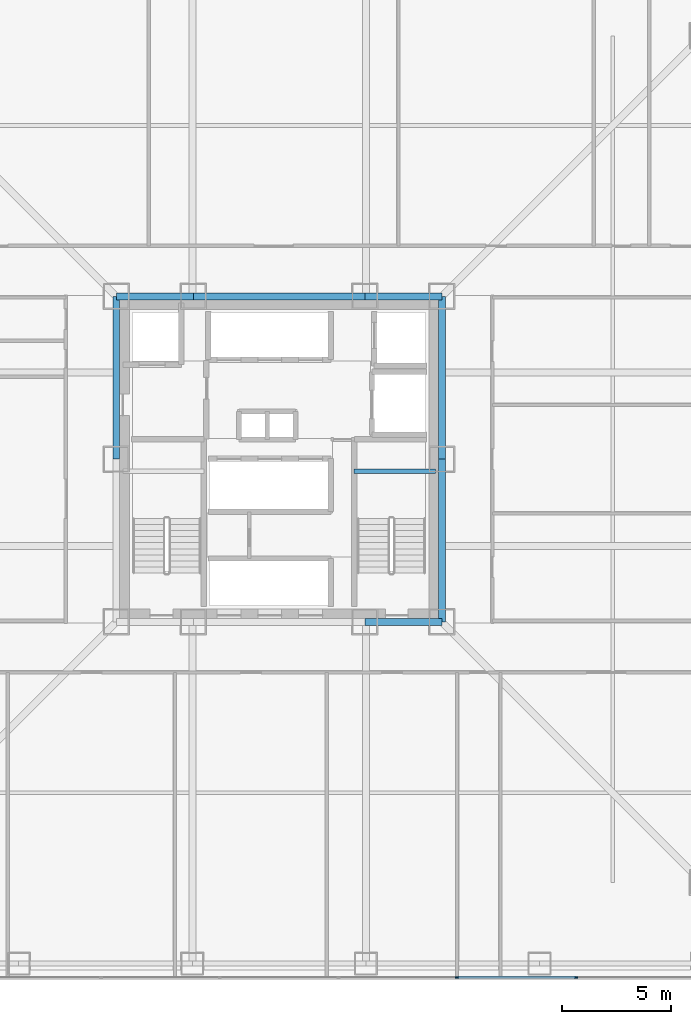
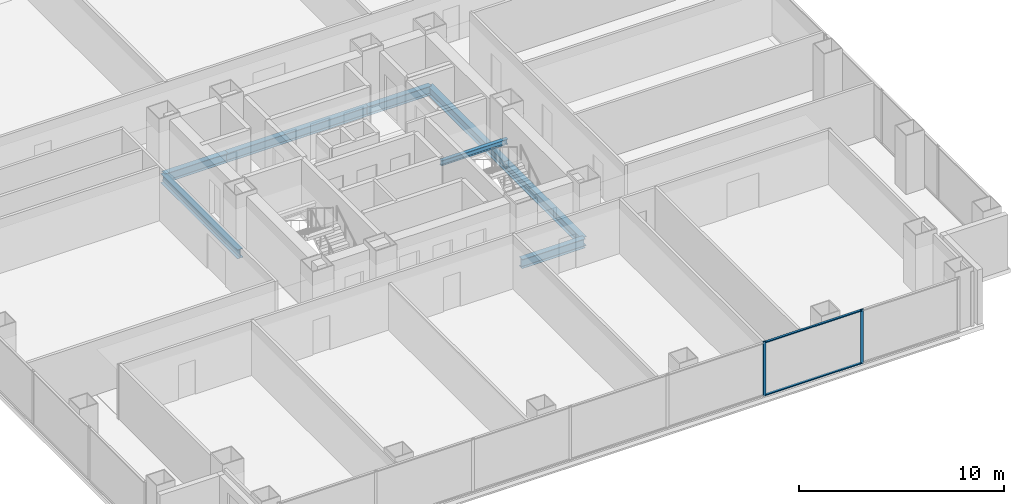
# One storey, part 7 of 19: 8 beams, 4 members, 1 element without a shape of its own.
"""IFC4 building model written with IfcOpenShell, lengths in metres."""

from ifc_helpers import new_model, si_unit, direction, frame, origin, origin_2d, place, context, subcontext, project, spatial, rectangle, i_section, extrude, material, layer, layer_set, material_profile, profile_set, type_object, element, aggregate, save


model = new_model("IFC4")

# Units and contexts
model_context = context("Model", 3, precision=1e-05, world=origin(), true_north=direction((0.0, 1.0)))
body_context = subcontext(model_context, "Body", "Model", "MODEL_VIEW")
ifc_project = project(units=[si_unit("LENGTHUNIT", "METRE"), si_unit("AREAUNIT", "SQUARE_METRE"), si_unit("VOLUMEUNIT", "CUBIC_METRE"), si_unit("PLANEANGLEUNIT", "RADIAN"), si_unit("MASSUNIT", "GRAM", prefix="KILO")], contexts=[model_context])

# Site, building, storey
site_placement = place(None, origin())
site = spatial("IfcSite", under=ifc_project, at=site_placement, CompositionType="ELEMENT")
building_placement = place(site_placement, origin())
building = spatial("IfcBuilding", under=site, at=building_placement, Name="Trevonay Congress Spire", CompositionType="ELEMENT")
storey_placement = place(building_placement, frame((0.0, 0.0, 41.0)))
storey = spatial("IfcBuildingStorey", under=building, at=storey_placement, Name="L09", CompositionType="ELEMENT", Elevation=41.0)

# Beams
ifc_material_1 = material(Name="Steel ASTM A572 Grade 50", Category="steel")
ifc_material_profile_1 = material_profile(ifc_material_1, i_section(OverallWidth=0.31201171875, OverallDepth=0.54296875, WebThickness=0.0126953125, FlangeThickness=0.020263671875, FilletRadius=0.014892578125, at=origin_2d()), Name="W530x150")
ifc_profile_set_1 = profile_set([ifc_material_profile_1], Name="Steel ASTM A572 Grade 50")
beam_type_1 = type_object("IfcBeamType", Name="BM-GIRD-W530X150", PredefinedType="BEAM", material=ifc_profile_set_1)
for number, where, z_axis, x_axis, name in (
    (1, (3.949951171875, -7.5, -0.521484375), (1.0, 0.0, 0.0), (0.0, 1.0, 0.0), "L09 structural beam BM-L09-CR-S3"),
    (2, (-7.5, 7.5, -0.521484375), (1.0, 0.0, 0.0), (0.0, 1.0, 0.0), "L09 structural beam BM-L09-CR-N1"),
):
    element("IfcBeam", number, at=place(storey_placement, frame(where, z_axis=z_axis, x_axis=x_axis)), inside=storey, type_object=beam_type_1, Name=name, PredefinedType="BEAM", context=body_context, shape_type="SweptSolid", body=[
        extrude(i_section(OverallWidth=0.31201171875, OverallDepth=0.54296875, WebThickness=0.0126953125, FlangeThickness=0.020263671875, FilletRadius=0.014892578125, at=origin_2d()), origin(), (0.0, 0.0, 1.0), 3.550048828125),
    ])
beam_1_placement = place(storey_placement, frame((-3.949951171875, 7.5, -0.521484375), z_axis=(1.0, 0.0, 0.0), x_axis=(0.0, 1.0, 0.0)))
element("IfcBeam", 3, at=beam_1_placement, inside=storey, type_object=beam_type_1, Name="L09 structural beam BM-L09-CR-N2", PredefinedType="BEAM", context=body_context, shape_type="SweptSolid", body=[
    extrude(i_section(OverallWidth=0.31201171875, OverallDepth=0.54296875, WebThickness=0.0126953125, FlangeThickness=0.020263671875, FilletRadius=0.014892578125, at=origin_2d()), origin(), (0.0, 0.0, 1.0), 7.89990234375),
])
beam_2_placement = place(storey_placement, frame((3.949951171875, 7.5, -0.521484375), z_axis=(1.0, 0.0, 0.0), x_axis=(0.0, 1.0, 0.0)))
element("IfcBeam", 4, at=beam_2_placement, inside=storey, type_object=beam_type_1, Name="L09 structural beam BM-L09-CR-N3", PredefinedType="BEAM", context=body_context, shape_type="SweptSolid", body=[
    extrude(i_section(OverallWidth=0.31201171875, OverallDepth=0.54296875, WebThickness=0.0126953125, FlangeThickness=0.020263671875, FilletRadius=0.014892578125, at=origin_2d()), origin(), (0.0, 0.0, 1.0), 3.550048828125),
])
for number, where, z_axis, x_axis, name in (
    (5, (-7.5, 0.0, -0.521484375), (0.0, 1.0, 0.0), (-1.0, 0.0, 0.0), "L09 structural beam BM-L09-CR-W2"),
    (6, (7.5, -7.5, -0.521484375), (0.0, 1.0, 0.0), (-1.0, 0.0, 0.0), "L09 structural beam BM-L09-CR-E1"),
    (7, (7.5, 0.0, -0.521484375), (0.0, 1.0, 0.0), (-1.0, 0.0, 0.0), "L09 structural beam BM-L09-CR-E2"),
):
    element("IfcBeam", number, at=place(storey_placement, frame(where, z_axis=z_axis, x_axis=x_axis)), inside=storey, type_object=beam_type_1, Name=name, PredefinedType="BEAM", context=body_context, shape_type="SweptSolid", body=[
        extrude(i_section(OverallWidth=0.31201171875, OverallDepth=0.54296875, WebThickness=0.0126953125, FlangeThickness=0.020263671875, FilletRadius=0.014892578125, at=origin_2d()), origin(), (0.0, 0.0, 1.0), 7.5),
    ])

# Curtain wall, members
ifc_material_2 = material(Name="Pale Anodised Aluminium EN AW-6063-T6", Category="aluminium")
ifc_layer = layer(ifc_material_2, 0.179931640625, Name="Pale Anodised Aluminium EN AW-6063-T6")
ifc_layer_set = layer_set([ifc_layer], Name="Pale Anodised Aluminium EN AW-6063-T6")
curtain_wall_type = type_object("IfcCurtainWallType", Name="CW-SYS02-HOTEL-PALE-METAL", PredefinedType="NOTDEFINED", material=ifc_layer_set)
curtain_wall_placement = place(storey_placement, origin())
curtain_wall = element("IfcCurtainWall", 8, at=curtain_wall_placement, inside=storey, type_object=curtain_wall_type, Name="L09 S unitised curtain wall", PredefinedType="NOTDEFINED")
ifc_material_profile_2 = material_profile(ifc_material_2, rectangle(XDim=0.06005859375, YDim=0.159912109375, at=origin_2d()), Name="CW-MULLION-160-ALUMINIUM")
ifc_profile_set_2 = profile_set([ifc_material_profile_2], Name="Pale Anodised Aluminium EN AW-6063-T6")
member_type_1 = type_object("IfcMemberType", Name="CW-MULLION-160-ALUMINIUM", PredefinedType="MULLION", material=ifc_profile_set_2)
member_1_placement = place(storey_placement, frame((8.20703125, -23.8798828125, 0.0), z_axis=(0.0, 0.0, 1.0), x_axis=(0.0, 1.0, 0.0)))
member_1 = element("IfcMember", 9, at=member_1_placement, type_object=member_type_1, Name="CW02 mullion 6", PredefinedType="MULLION", context=body_context, shape_type="SweptSolid", body=[
    extrude(rectangle(XDim=0.06005859375, YDim=0.159912109375, at=origin_2d()), origin(), (0.0, 0.0, 1.0), 3.25),
])
member_2_placement = place(storey_placement, frame((13.678466796875, -23.8798828125, 0.0), z_axis=(0.0, 0.0, 1.0), x_axis=(0.0, 1.0, 0.0)))
member_2 = element("IfcMember", 10, at=member_2_placement, type_object=member_type_1, Name="CW02 mullion 7", PredefinedType="MULLION", context=body_context, shape_type="SweptSolid", body=[
    extrude(rectangle(XDim=0.06005859375, YDim=0.159912109375, at=origin_2d()), origin(), (0.0, 0.0, 1.0), 3.25),
])
ifc_material_profile_3 = material_profile(ifc_material_2, rectangle(XDim=0.1201171875, YDim=0.06005859375, at=origin_2d()), Name="CW-TRANSOM-120-ALUMINIUM")
ifc_profile_set_3 = profile_set([ifc_material_profile_3], Name="Pale Anodised Aluminium EN AW-6063-T6")
member_type_2 = type_object("IfcMemberType", Name="CW-TRANSOM-120-ALUMINIUM", PredefinedType="USERDEFINED", material=ifc_profile_set_3)
member_3_placement = place(storey_placement, frame((8.237060546875, -23.8798828125, 0.06005859375), z_axis=(1.0, 0.0, 0.0), x_axis=(0.0, 1.0, 0.0)))
member_3 = element("IfcMember", 11, at=member_3_placement, type_object=member_type_2, Name="CW02 transom 6.1", ObjectType="TRANSOM", PredefinedType="USERDEFINED", context=body_context, shape_type="SweptSolid", body=[
    extrude(rectangle(XDim=0.1201171875, YDim=0.06005859375, at=origin_2d()), origin(), (0.0, 0.0, 1.0), 5.41162109375),
])
member_4_placement = place(storey_placement, frame((8.237060546875, -23.8798828125, 3.18994140625), z_axis=(1.0, 0.0, 0.0), x_axis=(0.0, 1.0, 0.0)))
member_4 = element("IfcMember", 12, at=member_4_placement, type_object=member_type_2, Name="CW02 transom 6.2", ObjectType="TRANSOM", PredefinedType="USERDEFINED", context=body_context, shape_type="SweptSolid", body=[
    extrude(rectangle(XDim=0.1201171875, YDim=0.06005859375, at=origin_2d()), origin(), (0.0, 0.0, 1.0), 5.41162109375),
])
aggregate(curtain_wall, [member_1, member_2, member_3, member_4])

# Beam
ifc_material_profile_4 = material_profile(ifc_material_1, i_section(OverallWidth=0.2041015625, OverallDepth=0.305908203125, WebThickness=0.008544921875, FlangeThickness=0.0146484375, FilletRadius=0.010986328125, at=origin_2d()), Name="W310x67")
ifc_profile_set_4 = profile_set([ifc_material_profile_4], Name="Steel ASTM A572 Grade 50")
beam_type_2 = type_object("IfcBeamType", Name="LN-CORE-W310X67", PredefinedType="LINTEL", material=ifc_profile_set_4)
beam_3_placement = place(storey_placement, frame((3.449951171875, -0.550048828125, 1.39697265625), z_axis=(1.0, 0.0, 0.0), x_axis=(0.0, 1.0, 0.0)))
element("IfcBeam", 13, at=beam_3_placement, inside=storey, type_object=beam_type_2, Name="L09 structural beam BM-L09-HL-ST2", PredefinedType="LINTEL", context=body_context, shape_type="SweptSolid", body=[
    extrude(i_section(OverallWidth=0.2041015625, OverallDepth=0.305908203125, WebThickness=0.008544921875, FlangeThickness=0.0146484375, FilletRadius=0.010986328125, at=origin_2d()), origin(), (0.0, 0.0, 1.0), 3.75),
])

save(model, "model.ifc")
